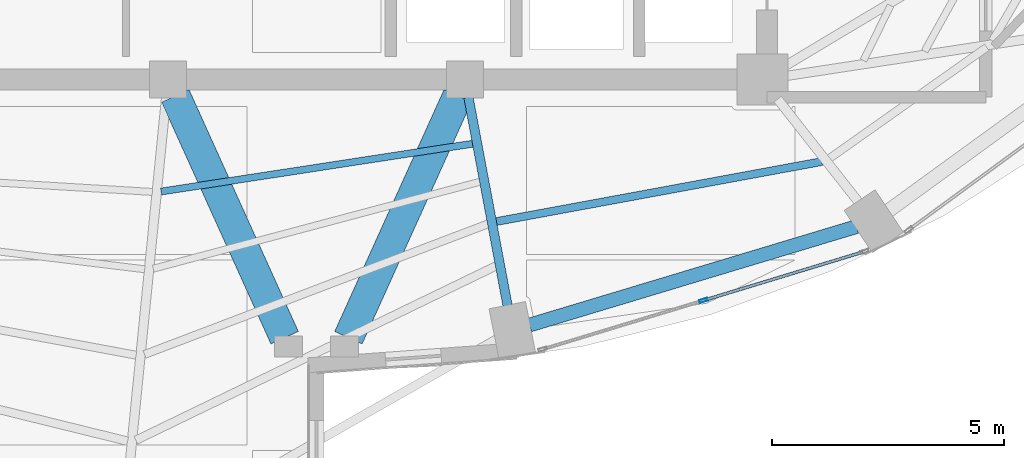
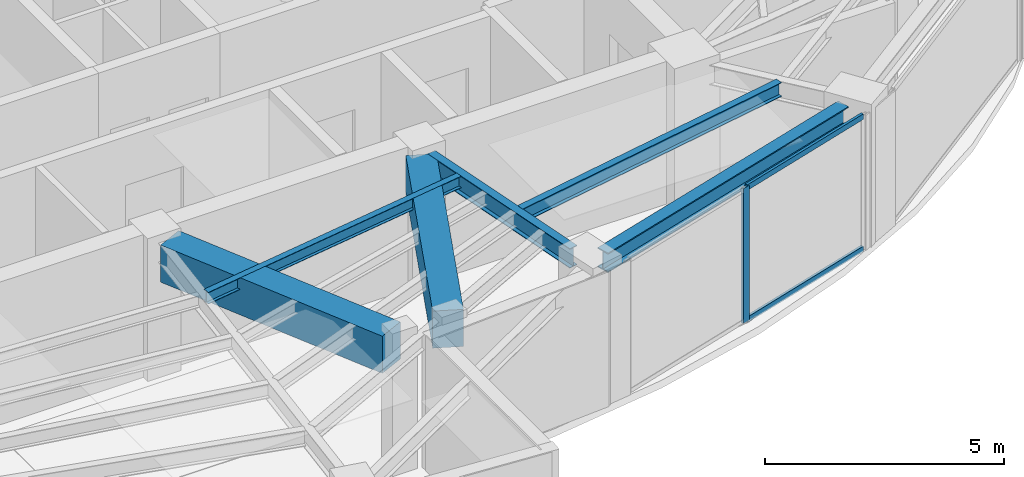
# One storey, part 7 of 23: 6 beams, 3 members, 1 element without a shape of its own.
"""IFC4 building model written with IfcOpenShell, lengths in metres."""

from ifc_helpers import new_model, si_unit, direction, frame, origin, origin_2d, place, context, subcontext, project, spatial, rectangle, hollow_rectangle, i_section, extrude, material, layer, layer_set, material_profile, profile_set, type_object, element, aggregate, save


model = new_model("IFC4")

# Units and contexts
model_context = context("Model", 3, precision=1e-05, world=origin(), true_north=direction((0.0, 1.0)))
body_context = subcontext(model_context, "Body", "Model", "MODEL_VIEW")
ifc_project = project(units=[si_unit("LENGTHUNIT", "METRE"), si_unit("AREAUNIT", "SQUARE_METRE"), si_unit("VOLUMEUNIT", "CUBIC_METRE"), si_unit("PLANEANGLEUNIT", "RADIAN"), si_unit("MASSUNIT", "GRAM", prefix="KILO")], contexts=[model_context])

# Site, building, storey
site_placement = place(None, origin())
site = spatial("IfcSite", under=ifc_project, at=site_placement, CompositionType="ELEMENT")
building_placement = place(site_placement, origin())
building = spatial("IfcBuilding", under=site, at=building_placement, Name="Lazwardi Medical Tower", CompositionType="ELEMENT")
storey_placement = place(building_placement, frame((0.0, 0.0, 231.31201171875)))
storey = spatial("IfcBuildingStorey", under=building, at=storey_placement, Name="L60", CompositionType="ELEMENT", Elevation=231.31201171875)

# Beams
ifc_material_1 = material(Name="Concrete C60/75", Category="concrete")
ifc_material_profile_1 = material_profile(ifc_material_1, rectangle(XDim=0.64990234375, YDim=0.949951171875, at=origin_2d()), Name="RC 650x950")
ifc_profile_set_1 = profile_set([ifc_material_profile_1], Name="Concrete C60/75")
beam_type_1 = type_object("IfcBeamType", Name="BM-CB-RC2", PredefinedType="LINTEL", material=ifc_profile_set_1)
for number, where, z_axis, x_axis, name in (
    (1, (32.95849609375, 20.04931640625, 2.972900390625), (0.412019279944, -0.911175127489, 0.0), (0.911175127489, 0.412019279944, 0.0), "Core coupling lintel CB-02 PL3 L60"),
    (2, (39.04150390625, 20.04931640625, 2.972900390625), (-0.412019279944, -0.911175127489, 0.0), (0.911175127489, -0.412019279944, 0.0), "Core coupling lintel CB-02 PL4 L60"),
):
    element("IfcBeam", number, at=place(storey_placement, frame(where, z_axis=z_axis, x_axis=x_axis)), inside=storey, type_object=beam_type_1, Name=name, PredefinedType="LINTEL", context=body_context, shape_type="SweptSolid", body=[
        extrude(rectangle(XDim=0.64990234375, YDim=0.949951171875, at=origin_2d()), origin(), (0.0, 0.0, 1.0), 5.7158203125),
    ])
ifc_material_2 = material(Name="Steel S355", Category="steel")
ifc_material_profile_2 = material_profile(ifc_material_2, i_section(OverallWidth=0.300048828125, OverallDepth=0.5, WebThickness=0.014404296875, FlangeThickness=0.028076171875, at=origin_2d()), Name="HEB 500")
ifc_profile_set_2 = profile_set([ifc_material_profile_2], Name="Steel S355")
beam_type_2 = type_object("IfcBeamType", Name="BM-RB-Z4", PredefinedType="BEAM", material=ifc_profile_set_2)
beam_1_placement = place(storey_placement, frame((40.58740234375, 15.114013671875, 3.197998046875), z_axis=(0.957544311906, 0.288286126506, 0.0), x_axis=(-0.288286126506, 0.957544311906, 0.0)))
element("IfcBeam", 3, at=beam_1_placement, inside=storey, type_object=beam_type_2, Name="Ring beam RB-05 B01 L60", PredefinedType="BEAM", context=body_context, shape_type="SweptSolid", body=[
    extrude(i_section(OverallWidth=0.300048828125, OverallDepth=0.5, WebThickness=0.014404296875, FlangeThickness=0.028076171875, at=origin_2d()), origin(), (0.0, 0.0, 1.0), 7.3515625),
])
ifc_material_profile_3 = material_profile(ifc_material_2, i_section(OverallWidth=0.199951171875, OverallDepth=0.5, WebThickness=0.01025390625, FlangeThickness=0.01611328125, at=origin_2d()), Name="IPE 500")
ifc_profile_set_3 = profile_set([ifc_material_profile_3], Name="Steel S355")
beam_type_3 = type_object("IfcBeamType", Name="BM-RG-W3", PredefinedType="BEAM", material=ifc_profile_set_3)
beam_2_placement = place(storey_placement, frame((40.115234375, 15.527587890625, 3.197998046875), z_axis=(-0.184633463507, 0.982807450192, 0.0), x_axis=(-0.982807450192, -0.184633463507, 0.0)))
element("IfcBeam", 4, at=beam_2_placement, inside=storey, type_object=beam_type_3, Name="Radial girder RG-04 R01 L60", PredefinedType="BEAM", context=body_context, shape_type="SweptSolid", body=[
    extrude(i_section(OverallWidth=0.199951171875, OverallDepth=0.5, WebThickness=0.01025390625, FlangeThickness=0.01611328125, at=origin_2d()), origin(), (0.0, 0.0, 1.0), 4.572509765625),
])
ifc_material_profile_4 = material_profile(ifc_material_2, i_section(OverallWidth=0.169921875, OverallDepth=0.360107421875, WebThickness=0.008056640625, FlangeThickness=0.0126953125, at=origin_2d()), Name="IPE 360")
ifc_profile_set_4 = profile_set([ifc_material_profile_4], Name="Steel S355")
beam_type_4 = type_object("IfcBeamType", Name="BM-SJ-02", PredefinedType="JOIST", material=ifc_profile_set_4)
beam_3_placement = place(storey_placement, frame((39.87109375, 17.34228515625, 3.26806640625), z_axis=(0.983427965623, 0.181299300688, 0.0), x_axis=(-0.181299300688, 0.983427965623, 0.0)))
element("IfcBeam", 5, at=beam_3_placement, inside=storey, type_object=beam_type_4, Name="Secondary joist SJ-02 R2 B01 L60", PredefinedType="JOIST", context=body_context, shape_type="SweptSolid", body=[
    extrude(i_section(OverallWidth=0.169921875, OverallDepth=0.360107421875, WebThickness=0.008056640625, FlangeThickness=0.0126953125, at=origin_2d()), origin(), (0.0, 0.0, 1.0), 7.127685546875),
])
ifc_material_profile_5 = material_profile(ifc_material_2, i_section(OverallWidth=0.14990234375, OverallDepth=0.300048828125, WebThickness=0.007080078125, FlangeThickness=0.0107421875, at=origin_2d()), Name="IPE 300")
ifc_profile_set_5 = profile_set([ifc_material_profile_5], Name="Steel S355")
beam_type_5 = type_object("IfcBeamType", Name="BM-SJ-03", PredefinedType="JOIST", material=ifc_profile_set_5)
beam_4_placement = place(storey_placement, frame((32.652587890625, 17.989013671875, 3.298095703125), z_axis=(0.988433562862, 0.151654514629, 0.0), x_axis=(-0.151654514629, 0.988433562862, 0.0)))
element("IfcBeam", 6, at=beam_4_placement, inside=storey, type_object=beam_type_5, Name="Secondary joist SJ-03 R4 B16 L60", PredefinedType="JOIST", context=body_context, shape_type="SweptSolid", body=[
    extrude(i_section(OverallWidth=0.14990234375, OverallDepth=0.300048828125, WebThickness=0.007080078125, FlangeThickness=0.0107421875, at=origin_2d()), origin(), (0.0, 0.0, 1.0), 6.788818359375),
])

# Curtain wall, members
ifc_material_3 = material(Name="Anodised bronze aluminium and solar control glazing", Category="aluminium")
ifc_layer = layer(ifc_material_3, 0.18994140625)
ifc_layer_set = layer_set([ifc_layer], Name="Anodised bronze aluminium and solar control glazing")
curtain_wall_type = type_object("IfcCurtainWallType", Name="CW-SYS-04", PredefinedType="NOTDEFINED", material=ifc_layer_set)
curtain_wall_placement = place(storey_placement, origin())
curtain_wall = element("IfcCurtainWall", 7, at=curtain_wall_placement, inside=storey, type_object=curtain_wall_type, Name="L60 Unitised bronze curtain wall CW-04", PredefinedType="NOTDEFINED")
ifc_material_4 = material(Name="Anodised bronze aluminium", Category="aluminium")
ifc_material_profile_6 = material_profile(ifc_material_4, hollow_rectangle(XDim=0.06494140625, YDim=0.179931640625, WallThickness=0.00390625, at=origin_2d()), Name="ALU-MULLION 180x65x4")
ifc_profile_set_6 = profile_set([ifc_material_profile_6], Name="Anodised bronze aluminium")
member_type_1 = type_object("IfcMemberType", Name="CW-MUL-03", PredefinedType="MULLION", material=ifc_profile_set_6)
member_1_placement = place(storey_placement, frame((44.33642578125, 15.644775390625, 0.0), z_axis=(0.0, 0.0, 1.0), x_axis=(-0.290581889515, 0.956850126972, 0.0)))
member_1 = element("IfcMember", 8, at=member_1_placement, type_object=member_type_1, Name="CW-04 mullion 2", PredefinedType="MULLION", context=body_context, shape_type="SweptSolid", body=[
    extrude(hollow_rectangle(XDim=0.06494140625, YDim=0.179931640625, WallThickness=0.00390625, at=origin_2d()), origin(), (0.0, 0.0, 1.0), 3.447998046875),
])
ifc_material_profile_7 = material_profile(ifc_material_4, hollow_rectangle(XDim=0.06494140625, YDim=0.139892578125, WallThickness=0.00341796875, at=origin_2d()), Name="ALU-TRANSOM 140x65x3.5")
ifc_profile_set_7 = profile_set([ifc_material_profile_7], Name="Anodised bronze aluminium")
member_type_2 = type_object("IfcMemberType", Name="CW-TRN-03", PredefinedType="USERDEFINED", material=ifc_profile_set_7)
member_2_placement = place(storey_placement, frame((44.367431640625, 15.654052734375, 0.032470703125), z_axis=(0.956843409009, 0.290604010015, 0.0), x_axis=(-0.290604010015, 0.956843409009, 0.0)))
member_2 = element("IfcMember", 9, at=member_2_placement, type_object=member_type_2, Name="CW-04 transom 2.1", ObjectType="TRANSOM", PredefinedType="USERDEFINED", context=body_context, shape_type="SweptSolid", body=[
    extrude(hollow_rectangle(XDim=0.06494140625, YDim=0.139892578125, WallThickness=0.00341796875, at=origin_2d()), origin(), (0.0, 0.0, 1.0), 3.554443359375),
])
member_3_placement = place(storey_placement, frame((44.367431640625, 15.654052734375, 3.41552734375), z_axis=(0.956843409009, 0.290604010015, 0.0), x_axis=(-0.290604010015, 0.956843409009, 0.0)))
member_3 = element("IfcMember", 10, at=member_3_placement, type_object=member_type_2, Name="CW-04 transom 2.2", ObjectType="TRANSOM", PredefinedType="USERDEFINED", context=body_context, shape_type="SweptSolid", body=[
    extrude(hollow_rectangle(XDim=0.06494140625, YDim=0.139892578125, WallThickness=0.00341796875, at=origin_2d()), origin(), (0.0, 0.0, 1.0), 3.554443359375),
])
aggregate(curtain_wall, [member_1, member_2, member_3])

save(model, "model.ifc")
